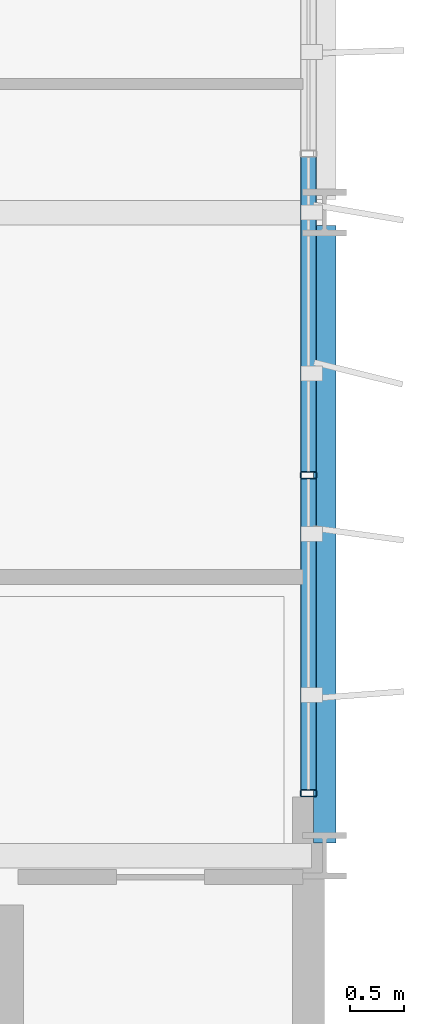
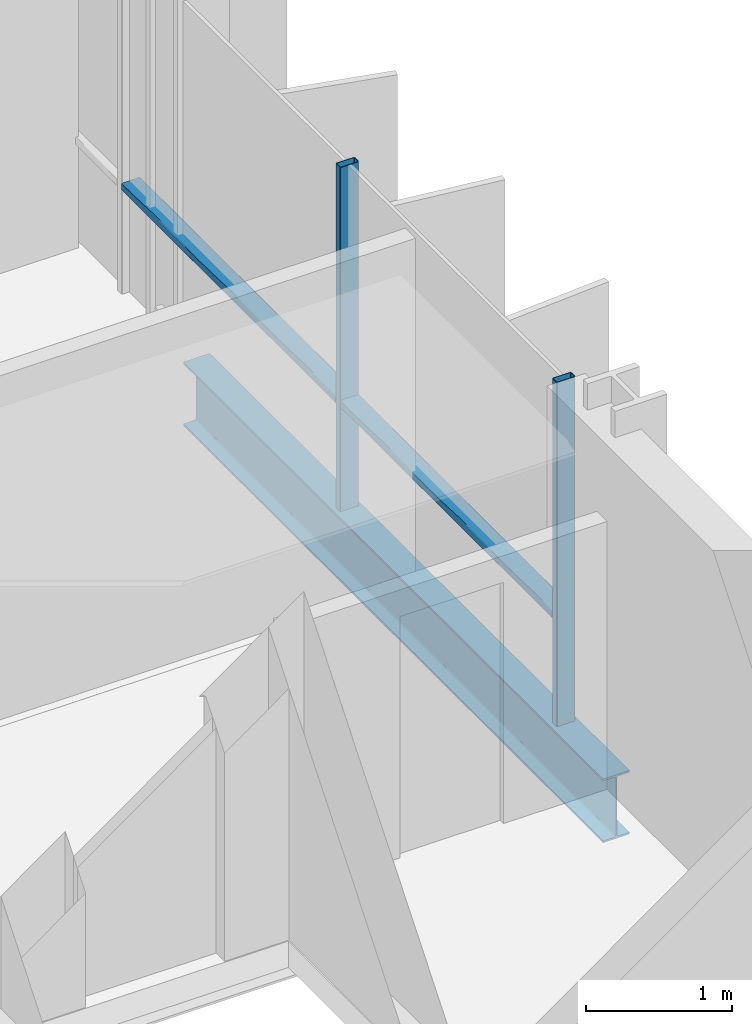
# One storey, part 15 of 39: 4 members, 1 beam, 1 element without a shape of its own.
"""IFC4 building model written with IfcOpenShell, lengths in metres."""

import ifcopenshell
import ifcopenshell.guid

model = None  # the IFC model being written
_history = None  # IfcOwnerHistory: only IFC2X3 demands one
_inside = {}  # id of a spatial element -> (the spatial element, [elements in it])
_under = {}  # id of a project, library or spatial element -> (it, [spatial elements below it])
_declared = {}  # id of a project -> (the project, [libraries it declares])
_typed = {}  # id of a type object -> (the type object, [elements of that type])
_made_of = {}  # id of a material, layer set ... -> (it, [elements and type objects made of it])


def new_model(schema):
    """Start an empty IFC model of exactly this schema.

    Asked for "IFC4X3", IfcOpenShell would pick the latest addendum, in which some entities
    have other attributes; the version numbers below select the first issue.
    IFC2X3 requires an IfcOwnerHistory on every rooted entity: one is made here for all.
    """
    global model, _history
    if schema == "IFC4X3":
        model = ifcopenshell.file(schema_version=(4, 3, 0, 0))
    else:
        model = ifcopenshell.file(schema=schema)
    _inside.clear()
    _under.clear()
    _declared.clear()
    _typed.clear()
    _made_of.clear()
    _history = None
    if model.schema == "IFC2X3":
        org = make("IfcOrganization", Name="unknown")
        user = make(
            "IfcPersonAndOrganization",
            ThePerson=make("IfcPerson", FamilyName="unknown"),
            TheOrganization=org,
        )
        app = make(
            "IfcApplication",
            ApplicationDeveloper=org,
            Version="unknown",
            ApplicationFullName="unknown",
            ApplicationIdentifier="unknown",
        )
        _history = make(
            "IfcOwnerHistory",
            OwningUser=user,
            OwningApplication=app,
            ChangeAction="ADDED",
            CreationDate=0,
        )
    return model


def make(cls, **values):
    """One entity of the class cls with the attributes given. An attribute that is None is left unset."""
    return model.create_entity(
        cls, **{name: value for name, value in values.items() if value is not None}
    )


def rooted(cls, **values):
    """An entity with a GlobalId (a new one), such as an element, a storey or a relation."""
    return make(cls, GlobalId=ifcopenshell.guid.new(), OwnerHistory=_history, **values)


def si_unit(unit_type, name, prefix=None):
    """IfcSIUnit, for example si_unit("LENGTHUNIT", "METRE", prefix="MILLI")."""
    return make("IfcSIUnit", UnitType=unit_type, Prefix=prefix, Name=name)


def assignment(units):
    """IfcUnitAssignment: the units of a project."""
    return None if units is None else make("IfcUnitAssignment", Units=units)


def point(xyz):
    """IfcCartesianPoint."""
    return None if xyz is None else make("IfcCartesianPoint", Coordinates=xyz)


def direction(xyz):
    """IfcDirection."""
    return None if xyz is None else make("IfcDirection", DirectionRatios=xyz)


def frame(location, z_axis=None, x_axis=None):
    """IfcAxis2Placement3D, a coordinate frame: its origin and axes. An axis left out is left unset."""
    return make(
        "IfcAxis2Placement3D",
        Location=point(location),
        Axis=direction(z_axis),
        RefDirection=direction(x_axis),
    )


def frame_2d(location, x_axis=None):
    """IfcAxis2Placement2D, a coordinate frame in the plane: its origin and x axis."""
    return make(
        "IfcAxis2Placement2D", Location=point(location), RefDirection=direction(x_axis)
    )


def origin():
    """The frame at (0, 0, 0) with its axes left unset."""
    return frame((0.0, 0.0, 0.0))


def origin_2d():
    """The frame at (0, 0) in the plane with its x axis left unset."""
    return frame_2d((0.0, 0.0))


def place(relative_to, where):
    """IfcLocalPlacement: puts the frame where relative to a parent placement (None: the world)."""
    return make(
        "IfcLocalPlacement", PlacementRelTo=relative_to, RelativePlacement=where
    )


def context(
    kind, dimensions, precision=None, world=None, true_north=None, identifier=None
):
    """IfcGeometricRepresentationContext, for example the 3D "Model" context."""
    return make(
        "IfcGeometricRepresentationContext",
        ContextIdentifier=identifier,
        ContextType=kind,
        CoordinateSpaceDimension=dimensions,
        Precision=precision,
        WorldCoordinateSystem=world,
        TrueNorth=true_north,
    )


def subcontext(parent, identifier, kind, view, scale=None):
    """IfcGeometricRepresentationSubContext, for example "Body" below "Model"."""
    return make(
        "IfcGeometricRepresentationSubContext",
        ContextIdentifier=identifier,
        ContextType=kind,
        ParentContext=parent,
        TargetScale=scale,
        TargetView=view,
    )


def project(units=None, contexts=None):
    """IfcProject with its units and contexts."""
    return rooted(
        "IfcProject",
        Name="project",
        RepresentationContexts=contexts,
        UnitsInContext=assignment(units),
    )


def spatial(cls, under=None, at=None, **own):
    """A site, building, storey or space (cls), placed at a placement, below another one or the project."""
    s = rooted(cls, ObjectPlacement=at, **own)
    if under is not None:
        _under.setdefault(under.id(), (under, []))[1].append(s)
    return s


def profile(cls, at=None, kind="AREA", **sizes):
    """A parametric profile (cls). Its sizes go by their IFC names, for example OverallWidth=200.0."""
    return make(cls, ProfileType=kind, Position=at, **sizes)


def hollow_rectangle(**sizes):
    """IfcRectangleHollowProfileDef."""
    return profile("IfcRectangleHollowProfileDef", **sizes)


def i_section(**sizes):
    """IfcIShapeProfileDef."""
    return profile("IfcIShapeProfileDef", **sizes)


def extrude(swept, where, along, depth):
    """IfcExtrudedAreaSolid: the profile swept, set in the frame where, extruded along a direction by depth."""
    return make(
        "IfcExtrudedAreaSolid",
        SweptArea=swept,
        Position=where,
        ExtrudedDirection=direction(along),
        Depth=depth,
    )


def shape(context_of_items, identifier, shape_type, items):
    """IfcShapeRepresentation: the items that make up one representation, for example the "Body"."""
    return make(
        "IfcShapeRepresentation",
        ContextOfItems=context_of_items,
        RepresentationIdentifier=identifier,
        RepresentationType=shape_type,
        Items=items,
    )


def material(Name=None, Category=None):
    """IfcMaterial."""
    return make("IfcMaterial", Name=Name, Category=Category)


def layer(
    of_material, thickness, ventilated=None, Name=None, Category=None, Priority=None
):
    """IfcMaterialLayer: one layer of a wall or slab, of a material (None: an air gap)."""
    return make(
        "IfcMaterialLayer",
        Material=of_material,
        LayerThickness=thickness,
        IsVentilated=ventilated,
        Name=Name,
        Category=Category,
        Priority=Priority,
    )


def layer_set(layers, Name=None):
    """IfcMaterialLayerSet."""
    return make("IfcMaterialLayerSet", MaterialLayers=layers, LayerSetName=Name)


def material_profile(
    of_material, cross_section, Name=None, Category=None, Priority=None
):
    """IfcMaterialProfile: a cross section and its material."""
    return make(
        "IfcMaterialProfile",
        Name=Name,
        Material=of_material,
        Profile=cross_section,
        Priority=Priority,
        Category=Category,
    )


def profile_set(profiles, Name=None, composite=None):
    """IfcMaterialProfileSet."""
    return make(
        "IfcMaterialProfileSet",
        Name=Name,
        MaterialProfiles=profiles,
        CompositeProfile=composite,
    )


def made_of(thing, what):
    """Note that an element or type object is made of a material, layer set ...; save() writes the relation."""
    if what is not None:
        _made_of.setdefault(what.id(), (what, []))[1].append(thing)
    return thing


def type_object(cls, material=None, **own):
    """A type object (cls), such as IfcWallType, which elements share."""
    return made_of(rooted(cls, **own), material)


def element(
    cls,
    number,
    at=None,
    inside=None,
    cuts=None,
    type_object=None,
    material=None,
    context=None,
    identifier="Body",
    shape_type=None,
    held_by="IfcProductDefinitionShape",
    body=None,
    shapes=None,
    **own,
):
    """One element of the class cls, such as IfcWall. Its Tag is "e" and its number.

    at: its placement. inside: the storey or other place that contains it. cuts: it is an
    opening in that element (IfcRelVoidsElement). A single representation is given by context,
    identifier, shape_type and body (its items); several are given by shapes. held_by: the class
    of the entity that holds the representations. save() writes the other relations.
    """
    e = rooted(cls, Tag="e%d" % number, ObjectPlacement=at, **own)
    if body is not None:
        shapes = [shape(context, identifier, shape_type, body)]
    if shapes is not None:
        e.Representation = make(held_by, Representations=shapes)
    if inside is not None:
        _inside.setdefault(inside.id(), (inside, []))[1].append(e)
    if cuts is not None:
        rooted(
            "IfcRelVoidsElement", RelatingBuildingElement=cuts, RelatedOpeningElement=e
        )
    if type_object is not None:
        _typed.setdefault(type_object.id(), (type_object, []))[1].append(e)
    return made_of(e, material)


def aggregate(whole, parts):
    """IfcRelAggregates: a whole, such as a stair, and the parts it consists of."""
    return rooted("IfcRelAggregates", RelatingObject=whole, RelatedObjects=parts)


def save(model, path):
    """Write the relations noted so far, then the file.

    IfcRelAggregates (storeys below a building ...), IfcRelContainedInSpatialStructure (elements
    in a storey), IfcRelDefinesByType, IfcRelAssociatesMaterial and IfcRelDeclares: one each for
    every whole, place, type object, material and project.
    """
    for whole, parts in _under.values():
        aggregate(whole, parts)
    for where, things in _inside.values():
        rooted(
            "IfcRelContainedInSpatialStructure",
            RelatedElements=things,
            RelatingStructure=where,
        )
    for kind, things in _typed.values():
        rooted("IfcRelDefinesByType", RelatedObjects=things, RelatingType=kind)
    for what, things in _made_of.values():
        rooted("IfcRelAssociatesMaterial", RelatedObjects=things, RelatingMaterial=what)
    for by, libraries in _declared.values():
        rooted("IfcRelDeclares", RelatingContext=by, RelatedDefinitions=libraries)
    model.write(path)


model = new_model("IFC4")

# Units and contexts
model_context = context("Model", 3, precision=1e-05, world=origin(), true_north=direction((0.0, 1.0)))
body_context = subcontext(model_context, "Body", "Model", "MODEL_VIEW")
ifc_project = project(units=[si_unit("LENGTHUNIT", "METRE"), si_unit("AREAUNIT", "SQUARE_METRE"), si_unit("VOLUMEUNIT", "CUBIC_METRE"), si_unit("PLANEANGLEUNIT", "RADIAN"), si_unit("MASSUNIT", "GRAM", prefix="KILO")], contexts=[model_context])

# Site, building, storey
site_placement = place(None, origin())
site = spatial("IfcSite", under=ifc_project, at=site_placement, CompositionType="ELEMENT")
building_placement = place(site_placement, origin())
building = spatial("IfcBuilding", under=site, at=building_placement, Name="Brevholm Reach", CompositionType="ELEMENT")
storey_placement = place(building_placement, frame((0.0, 0.0, 115.89990234375)))
storey = spatial("IfcBuildingStorey", under=building, at=storey_placement, Name="L34", CompositionType="ELEMENT", Elevation=115.89990234375)

# Beam
ifc_material_1 = material(Name="Structural Steel S355J2", Category="steel")
ifc_material_profile_1 = material_profile(ifc_material_1, i_section(OverallWidth=0.209228515625, OverallDepth=0.533203125, WebThickness=0.010009765625, FlangeThickness=0.015625, FilletRadius=0.0126953125, at=origin_2d()), Name="UKB 533x210x92")
ifc_profile_set_1 = profile_set([ifc_material_profile_1], Name="Structural Steel S355J2")
beam_type = type_object("IfcBeamType", Name="BM-SP533", PredefinedType="SPANDREL", material=ifc_profile_set_1)
beam_placement = place(storey_placement, frame((60.0, 10.1201171875, -0.486572265625), z_axis=(0.0, 1.0, 0.0), x_axis=(-1.0, 0.0, 0.0)))
element("IfcBeam", 1, at=beam_placement, inside=storey, type_object=beam_type, Name="L34 SP-02 Framing Beam", PredefinedType="SPANDREL", context=body_context, shape_type="SweptSolid", body=[
    extrude(i_section(OverallWidth=0.209228515625, OverallDepth=0.533203125, WebThickness=0.010009765625, FlangeThickness=0.015625, FilletRadius=0.0126953125, at=origin_2d()), origin(), (0.0, 0.0, 1.0), 5.759765625),
])

# Curtain wall, members
ifc_material_2 = material(Name="Dark Anodised Aluminium 6063-T6 and Solar-Control Glass", Category="aluminium")
ifc_layer = layer(ifc_material_2, 0.14990234375)
ifc_layer_set = layer_set([ifc_layer], Name="Dark Anodised Aluminium 6063-T6 and Solar-Control Glass")
curtain_wall_type = type_object("IfcCurtainWallType", Name="CW-01", PredefinedType="NOTDEFINED", material=ifc_layer_set)
curtain_wall_placement = place(storey_placement, origin())
curtain_wall = element("IfcCurtainWall", 2, at=curtain_wall_placement, inside=storey, type_object=curtain_wall_type, Name="L34 Curtain Wall CW-01", PredefinedType="NOTDEFINED")
ifc_material_3 = material(Name="Dark Anodised Aluminium 6063-T6", Category="aluminium")
ifc_material_profile_2 = material_profile(ifc_material_3, hollow_rectangle(XDim=0.06494140625, YDim=0.14990234375, WallThickness=0.0048828125, InnerFilletRadius=0.0048828125, OuterFilletRadius=0.010009765625, at=origin_2d()), Name="RHS 150x65x5")
ifc_profile_set_2 = profile_set([ifc_material_profile_2], Name="Dark Anodised Aluminium 6063-T6")
member_type_1 = type_object("IfcMemberType", Name="CWM-150", PredefinedType="MULLION", material=ifc_profile_set_2)
member_1_placement = place(storey_placement, frame((59.85009765625, 10.58251953125, 0.0), z_axis=(0.0, 0.0, 1.0), x_axis=(0.0, 1.0, 0.0)))
member_1 = element("IfcMember", 3, at=member_1_placement, type_object=member_type_1, Name="CM-150 Mullion 1", PredefinedType="MULLION", context=body_context, shape_type="SweptSolid", body=[
    extrude(hollow_rectangle(XDim=0.06494140625, YDim=0.14990234375, WallThickness=0.0048828125, InnerFilletRadius=0.0048828125, OuterFilletRadius=0.010009765625, at=origin_2d()), origin(), (0.0, 0.0, 1.0), 2.880126953125),
])
member_2_placement = place(storey_placement, frame((59.85009765625, 13.550048828125, 0.0), z_axis=(0.0, 0.0, 1.0), x_axis=(0.0, 1.0, 0.0)))
member_2 = element("IfcMember", 4, at=member_2_placement, type_object=member_type_1, Name="CM-150 Mullion 2", PredefinedType="MULLION", context=body_context, shape_type="SweptSolid", body=[
    extrude(hollow_rectangle(XDim=0.06494140625, YDim=0.14990234375, WallThickness=0.0048828125, InnerFilletRadius=0.0048828125, OuterFilletRadius=0.010009765625, at=origin_2d()), origin(), (0.0, 0.0, 1.0), 2.880126953125),
])
ifc_material_4 = material(Name="Dark Anodised Aluminium 6063-T6", Category="aluminium")
ifc_material_profile_3 = material_profile(ifc_material_4, hollow_rectangle(XDim=0.06494140625, YDim=0.14990234375, WallThickness=0.0048828125, InnerFilletRadius=0.0048828125, OuterFilletRadius=0.010009765625, at=origin_2d()), Name="RHS 150x65x5")
ifc_profile_set_3 = profile_set([ifc_material_profile_3], Name="Dark Anodised Aluminium 6063-T6")
member_type_2 = type_object("IfcMemberType", Name="CWT-150", PredefinedType="NOTDEFINED", material=ifc_profile_set_3)
member_3_placement = place(storey_placement, frame((59.85009765625, 10.614990234375, 0.900146484375), z_axis=(0.0, 1.0, 0.0), x_axis=(0.0, 0.0, 1.0)))
member_3 = element("IfcMember", 5, at=member_3_placement, type_object=member_type_2, Name="CT-150 Transom 1.1", ObjectType="TRANSOM", PredefinedType="USERDEFINED", context=body_context, shape_type="SweptSolid", body=[
    extrude(hollow_rectangle(XDim=0.06494140625, YDim=0.14990234375, WallThickness=0.0048828125, InnerFilletRadius=0.0048828125, OuterFilletRadius=0.010009765625, at=origin_2d()), origin(), (0.0, 0.0, 1.0), 2.902587890625),
])
member_4_placement = place(storey_placement, frame((59.85009765625, 13.58251953125, 0.900146484375), z_axis=(0.0, 1.0, 0.0), x_axis=(0.0, 0.0, 1.0)))
member_4 = element("IfcMember", 6, at=member_4_placement, type_object=member_type_2, Name="CT-150 Transom 2.1", ObjectType="TRANSOM", PredefinedType="USERDEFINED", context=body_context, shape_type="SweptSolid", body=[
    extrude(hollow_rectangle(XDim=0.06494140625, YDim=0.14990234375, WallThickness=0.0048828125, InnerFilletRadius=0.0048828125, OuterFilletRadius=0.010009765625, at=origin_2d()), origin(), (0.0, 0.0, 1.0), 2.93505859375),
])
aggregate(curtain_wall, [member_1, member_2, member_3, member_4])

save(model, "model.ifc")
